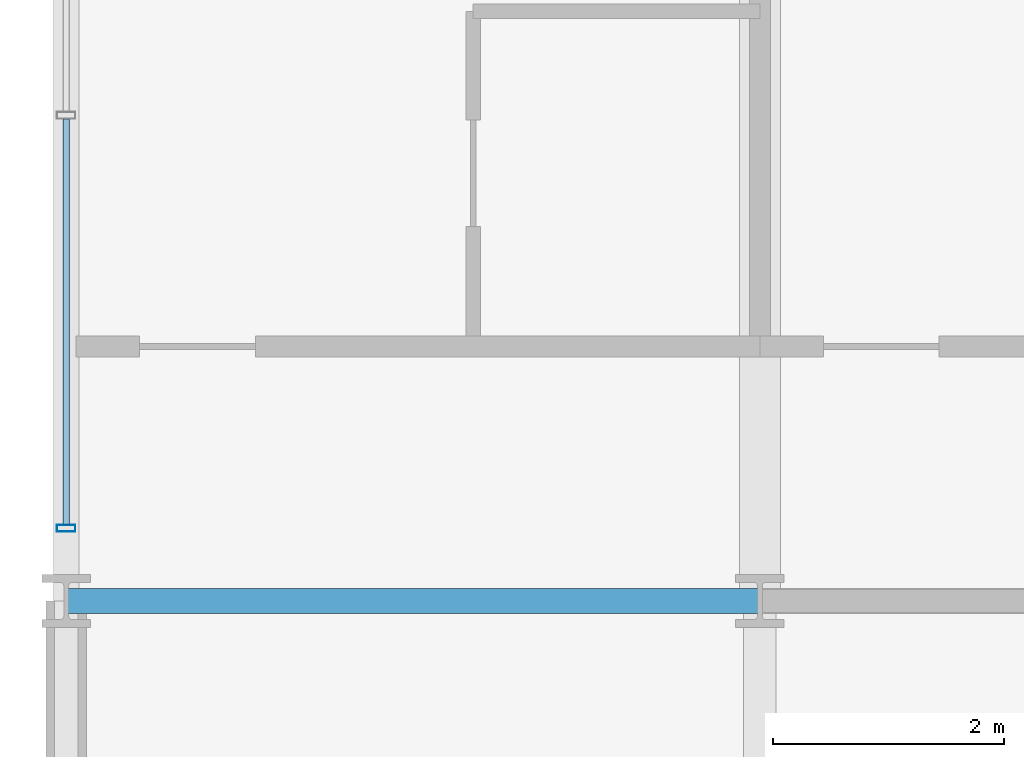
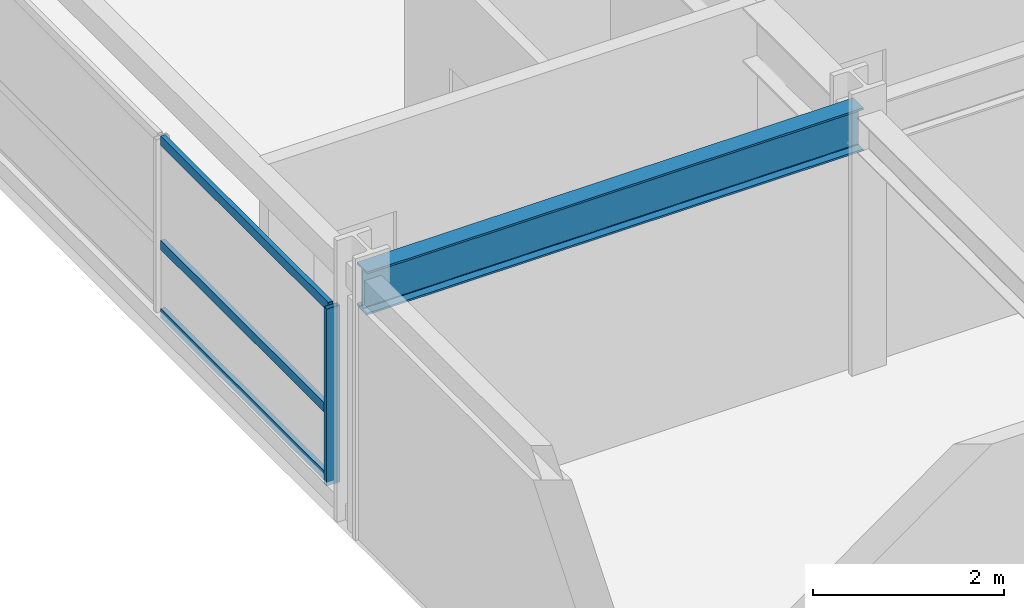
# One storey, part 6 of 26: 4 members, 1 beam, 1 element without a shape of its own.
"""IFC4 building model written with IfcOpenShell, lengths in metres."""

from ifc_helpers import new_model, si_unit, direction, frame, origin, origin_2d, place, context, subcontext, project, spatial, hollow_rectangle, i_section, extrude, material, material_profile, profile_set, type_object, element, aggregate, save


model = new_model("IFC4")

# Units and contexts
model_context = context("Model", 3, precision=1e-05, world=origin(), true_north=direction((0.0, 1.0)))
body_context = subcontext(model_context, "Body", "Model", "MODEL_VIEW")
ifc_project = project(units=[si_unit("LENGTHUNIT", "METRE"), si_unit("AREAUNIT", "SQUARE_METRE"), si_unit("VOLUMEUNIT", "CUBIC_METRE"), si_unit("PLANEANGLEUNIT", "RADIAN"), si_unit("MASSUNIT", "GRAM", prefix="KILO")], contexts=[model_context])

# Site, building, storey
site_placement = place(None, origin())
site = spatial("IfcSite", under=ifc_project, at=site_placement, CompositionType="ELEMENT")
building_placement = place(site_placement, origin())
building = spatial("IfcBuilding", under=site, at=building_placement, Name="Kaldorvane Square Convention Centre", CompositionType="ELEMENT")
storey_placement = place(building_placement, frame((0.0, 0.0, 42.0)))
storey = spatial("IfcBuildingStorey", under=building, at=storey_placement, Name="L09", CompositionType="ELEMENT", Elevation=42.0)

# Beam
ifc_material_1 = material(Name="Steel ASTM A992 Gr. 50", Category="steel")
ifc_material_profile_1 = material_profile(ifc_material_1, i_section(OverallWidth=0.213897705078125, OverallDepth=0.549102783203125, WebThickness=0.0146942138671875, FlangeThickness=0.0236053466796875, FilletRadius=0.0126953125, at=origin_2d()), Name="W21X93")
ifc_profile_set_1 = profile_set([ifc_material_profile_1], Name="Steel ASTM A992 Gr. 50")
beam_type = type_object("IfcBeamType", Name="BM-GR-W21X93", PredefinedType="BEAM", material=ifc_profile_set_1)
beam_placement = place(storey_placement, frame((24.0, 105.0, 3.011505126953125), z_axis=(1.0, 0.0, 0.0), x_axis=(0.0, 1.0, 0.0)))
element("IfcBeam", 1, at=beam_placement, inside=storey, type_object=beam_type, Name="Primary Girder (L09)", PredefinedType="BEAM", context=body_context, shape_type="SweptSolid", body=[
    extrude(i_section(OverallWidth=0.213897705078125, OverallDepth=0.549102783203125, WebThickness=0.0146942138671875, FlangeThickness=0.0236053466796875, FilletRadius=0.0126953125, at=origin_2d()), origin(), (0.0, 0.0, 1.0), 6.0),
])

# Curtain wall, members
ifc_material_2 = material(Name="Anodized Aluminum and Low-E Insulated Glazing", Category="aluminium")
curtain_wall_type = type_object("IfcCurtainWallType", Name="CW-UNI-HTL-B", PredefinedType="USERDEFINED", material=ifc_material_2)
curtain_wall_placement = place(storey_placement, origin())
curtain_wall = element("IfcCurtainWall", 2, at=curtain_wall_placement, inside=storey, type_object=curtain_wall_type, Name="Curtain Wall CW-11 (L09)", ObjectType="UNITISED GLAZING", PredefinedType="USERDEFINED")
ifc_material_profile_2 = material_profile(ifc_material_2, hollow_rectangle(XDim=0.05999755859375, YDim=0.160003662109375, WallThickness=0.003204345703125, at=origin_2d()), Name="CWM-160X60")
ifc_profile_set_2 = profile_set([ifc_material_profile_2], Name="Anodized Aluminum and Low-E Insulated Glazing")
member_type_1 = type_object("IfcMemberType", Name="CW-MUL-160", PredefinedType="MULLION", material=ifc_profile_set_2)
member_1_placement = place(storey_placement, frame((24.0, 105.6300048828125, 0.149993896484375), z_axis=(0.0, 0.0, 1.0), x_axis=(0.0, -1.0, 0.0)))
member_1 = element("IfcMember", 3, at=member_1_placement, type_object=member_type_1, Name="CW-11 mullion 4", PredefinedType="MULLION", context=body_context, shape_type="SweptSolid", body=[
    extrude(hollow_rectangle(XDim=0.05999755859375, YDim=0.160003662109375, WallThickness=0.003204345703125, at=origin_2d()), origin(), (0.0, 0.0, 1.0), 2.260009765625),
])
ifc_material_profile_3 = material_profile(ifc_material_2, hollow_rectangle(XDim=0.05499267578125, YDim=0.1199951171875, WallThickness=0.0030059814453125, at=origin_2d()), Name="CWT-120X55")
ifc_profile_set_3 = profile_set([ifc_material_profile_3], Name="Anodized Aluminum and Low-E Insulated Glazing")
member_type_2 = type_object("IfcMemberType", Name="CW-TRN-120", PredefinedType="USERDEFINED", material=ifc_profile_set_3)
member_2_placement = place(storey_placement, frame((24.0, 109.16999816894531, 0.1775054931640625), z_axis=(0.0, -1.0, 0.0), x_axis=(1.0, 0.0, 0.0)))
member_2 = element("IfcMember", 4, at=member_2_placement, type_object=member_type_2, Name="CW-11 transom 3.1", ObjectType="TRANSOM", PredefinedType="USERDEFINED", context=body_context, shape_type="SweptSolid", body=[
    extrude(hollow_rectangle(XDim=0.05499267578125, YDim=0.1199951171875, WallThickness=0.0030059814453125, at=origin_2d()), origin(), (0.0, 0.0, 1.0), 3.5099945068359375),
])
member_3_placement = place(storey_placement, frame((24.0, 109.16999816894531, 1.0500030517578125), z_axis=(0.0, -1.0, 0.0), x_axis=(1.0, 0.0, 0.0)))
member_3 = element("IfcMember", 5, at=member_3_placement, type_object=member_type_2, Name="CW-11 transom 3.2", ObjectType="TRANSOM", PredefinedType="USERDEFINED", context=body_context, shape_type="SweptSolid", body=[
    extrude(hollow_rectangle(XDim=0.05499267578125, YDim=0.1199951171875, WallThickness=0.0030059814453125, at=origin_2d()), origin(), (0.0, 0.0, 1.0), 3.5099945068359375),
])
member_4_placement = place(storey_placement, frame((24.0, 109.16999816894531, 2.38250732421875), z_axis=(0.0, -1.0, 0.0), x_axis=(1.0, 0.0, 0.0)))
member_4 = element("IfcMember", 6, at=member_4_placement, type_object=member_type_2, Name="CW-11 transom 3.3", ObjectType="TRANSOM", PredefinedType="USERDEFINED", context=body_context, shape_type="SweptSolid", body=[
    extrude(hollow_rectangle(XDim=0.05499267578125, YDim=0.1199951171875, WallThickness=0.0030059814453125, at=origin_2d()), origin(), (0.0, 0.0, 1.0), 3.5099945068359375),
])
aggregate(curtain_wall, [member_1, member_2, member_3, member_4])

save(model, "model.ifc")
